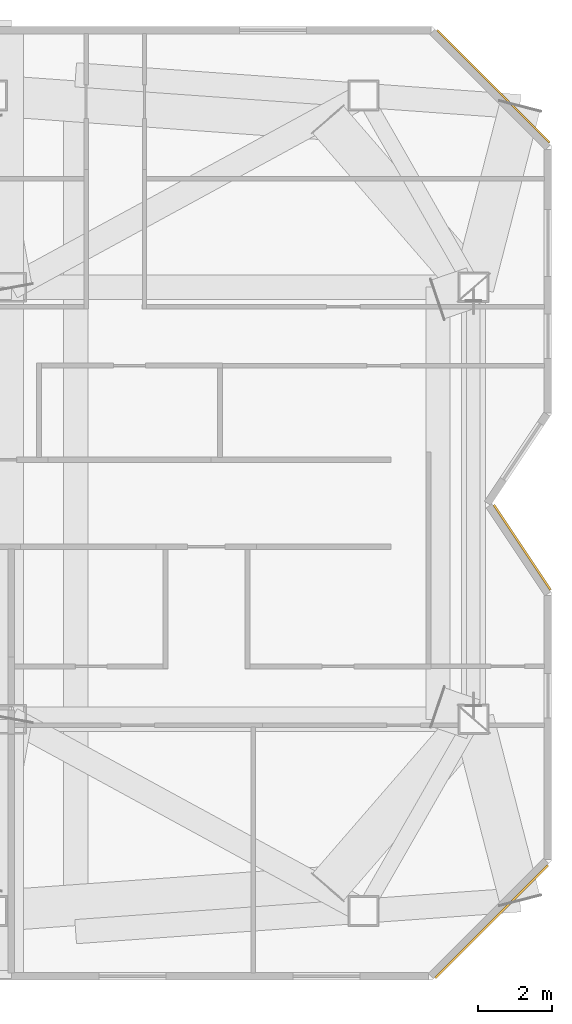
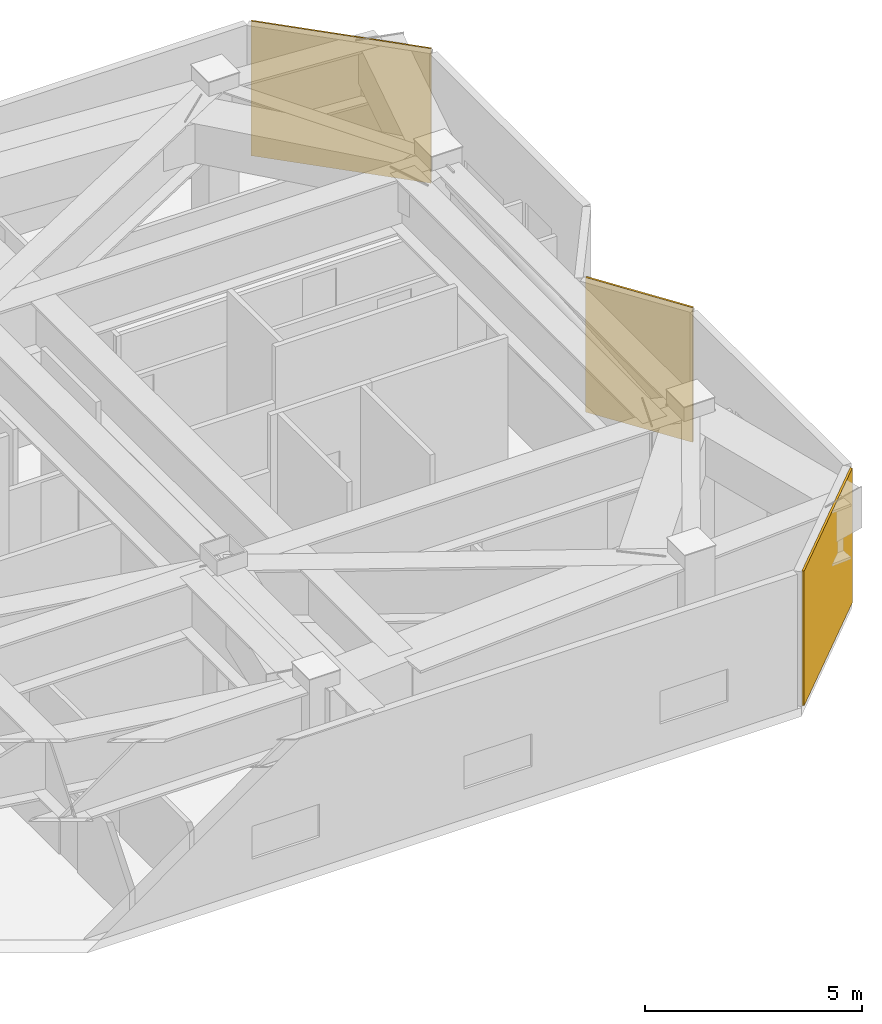
# One storey, part 15 of 15: 3 coverings.
"""IFC4 building model written with IfcOpenShell, lengths in metres."""

from ifc_helpers import new_model, si_unit, direction, frame, origin, origin_2d, place, context, subcontext, project, spatial, rectangle, extrude, material, layer, layer_set, type_object, element, save


model = new_model("IFC4")

# Units and contexts
model_context = context("Model", 3, precision=1e-05, world=origin(), true_north=direction((0.0, 1.0)))
body_context = subcontext(model_context, "Body", "Model", "MODEL_VIEW")
ifc_project = project(units=[si_unit("LENGTHUNIT", "METRE"), si_unit("AREAUNIT", "SQUARE_METRE"), si_unit("VOLUMEUNIT", "CUBIC_METRE"), si_unit("PLANEANGLEUNIT", "RADIAN"), si_unit("MASSUNIT", "GRAM", prefix="KILO")], contexts=[model_context])

# Site, building, storey
site_placement = place(None, origin())
site = spatial("IfcSite", under=ifc_project, at=site_placement, CompositionType="ELEMENT")
building_placement = place(site_placement, origin())
building = spatial("IfcBuilding", under=site, at=building_placement, Name="Khamvora Tower", CompositionType="ELEMENT")
storey_placement = place(building_placement, frame((0.0, 0.0, 290.449951171875)))
storey = spatial("IfcBuildingStorey", under=building, at=storey_placement, Name="L74", CompositionType="ELEMENT", Elevation=290.449951171875)

# Coverings
ifc_material_1 = material(Name="Pale Anodised Aluminium Rainscreen Panel", Category="aluminium")
ifc_layer_1 = layer(ifc_material_1, 0.044921875)
ifc_layer_set_1 = layer_set([ifc_layer_1], Name="Pale Anodised Aluminium Rainscreen Panel")
covering_type_1 = type_object("IfcCoveringType", Name="COV-CLD-ALU", PredefinedType="CLADDING", material=ifc_layer_set_1)
covering_1_placement = place(storey_placement, frame((63.43505859375, 39.19091796875, 0.0), z_axis=(0.0, 0.0, 1.0), x_axis=(0.707106781187, -0.707106781187, 0.0)))
element("IfcCovering", 1, at=covering_1_placement, inside=storey, type_object=covering_type_1, Name="L74 chamfer rainscreen cladding 08.1", PredefinedType="CLADDING", context=body_context, shape_type="SweptSolid", body=[
    extrude(rectangle(XDim=4.280029296875, YDim=0.044921875, at=origin_2d()), origin(), (0.0, 0.0, 1.0), 3.780029296875),
])
ifc_material_2 = material(Name="Anodised Bronze Aluminium Spandrel Panel", Category="aluminium")
ifc_layer_2 = layer(ifc_material_2, 0.054931640625)
ifc_layer_set_2 = layer_set([ifc_layer_2], Name="Anodised Bronze Aluminium Spandrel Panel")
covering_type_2 = type_object("IfcCoveringType", Name="COV-CLD-BRZ", PredefinedType="CLADDING", material=ifc_layer_set_2)
covering_2_placement = place(storey_placement, frame((64.2109375, 26.81591796875, 0.0), z_axis=(0.0, 0.0, 1.0), x_axis=(0.554700196226, -0.832050294338, 0.0)))
element("IfcCovering", 2, at=covering_2_placement, inside=storey, type_object=covering_type_2, Name="L74 chamfer rainscreen cladding 11.1", PredefinedType="CLADDING", context=body_context, shape_type="SweptSolid", body=[
    extrude(rectangle(XDim=2.738037109375, YDim=0.054931640625, at=origin_2d()), origin(), (0.0, 0.0, 1.0), 3.780029296875),
])
covering_3_placement = place(storey_placement, frame((63.389892578125, 16.764892578125, 0.0), z_axis=(0.0, 0.0, 1.0), x_axis=(-0.707106781187, -0.707106781187, 0.0)))
element("IfcCovering", 3, at=covering_3_placement, inside=storey, type_object=covering_type_2, Name="L74 chamfer rainscreen cladding 13.1", PredefinedType="CLADDING", context=body_context, shape_type="SweptSolid", body=[
    extrude(rectangle(XDim=4.278076171875, YDim=0.054931640625, at=origin_2d()), origin(), (0.0, 0.0, 1.0), 3.780029296875),
])

save(model, "model.ifc")
